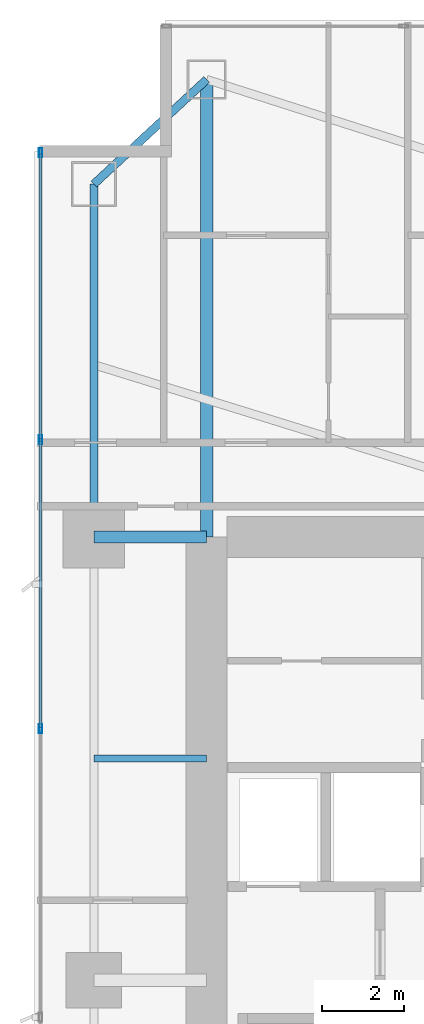
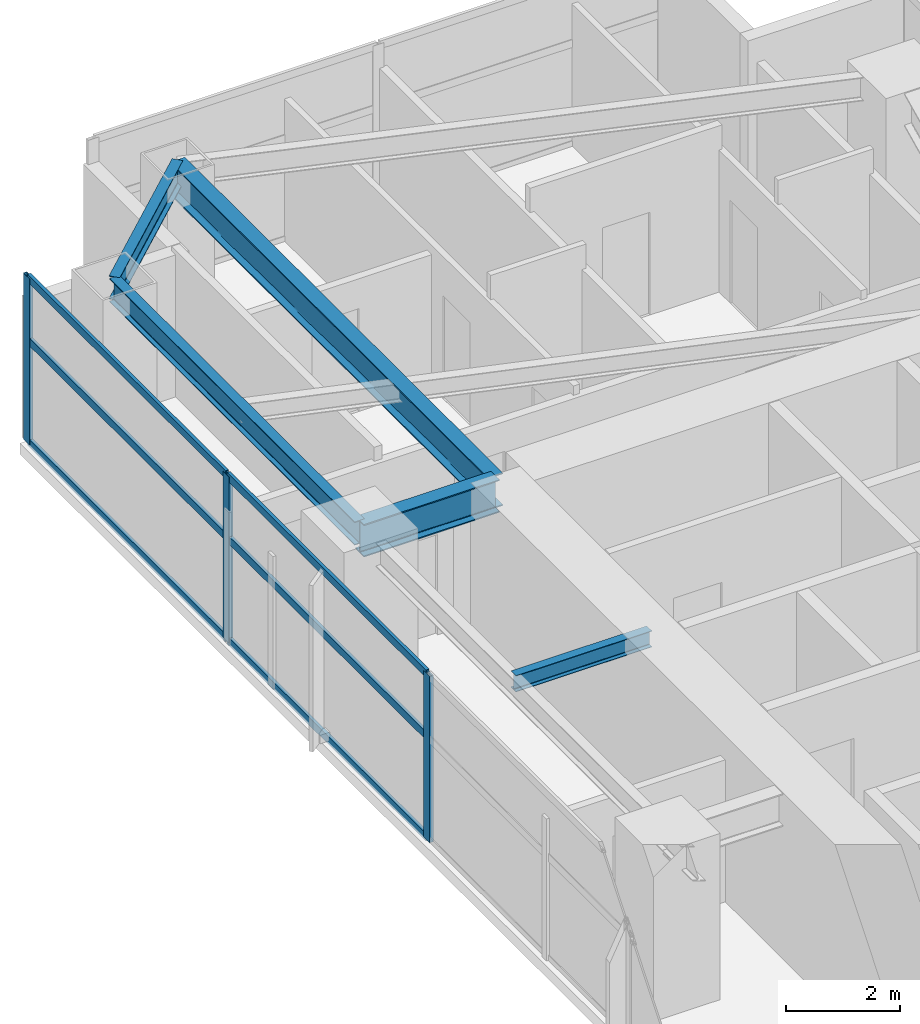
# One storey, part 16 of 29: 9 members, 5 beams, 1 element without a shape of its own.
"""IFC4 building model written with IfcOpenShell, lengths in metres."""

from ifc_helpers import new_model, si_unit, direction, frame, origin, origin_2d, place, context, subcontext, project, spatial, hollow_rectangle, i_section, extrude, material, layer, layer_set, material_profile, profile_set, type_object, element, aggregate, save


model = new_model("IFC4")

# Units and contexts
model_context = context("Model", 3, precision=1e-05, world=origin(), true_north=direction((0.0, 1.0)))
body_context = subcontext(model_context, "Body", "Model", "MODEL_VIEW")
ifc_project = project(units=[si_unit("LENGTHUNIT", "METRE"), si_unit("AREAUNIT", "SQUARE_METRE"), si_unit("VOLUMEUNIT", "CUBIC_METRE"), si_unit("PLANEANGLEUNIT", "RADIAN"), si_unit("MASSUNIT", "GRAM", prefix="KILO")], contexts=[model_context])

# Site, building, storey
site_placement = place(None, origin())
site = spatial("IfcSite", under=ifc_project, at=site_placement, CompositionType="ELEMENT")
building_placement = place(site_placement, origin())
building = spatial("IfcBuilding", under=site, at=building_placement, Name="Calvorn Quay Hotel", CompositionType="ELEMENT")
storey_placement = place(building_placement, frame((0.0, 0.0, 62.199951171875)))
storey = spatial("IfcBuildingStorey", under=building, at=storey_placement, Name="L14", CompositionType="ELEMENT", Elevation=62.199951171875)

# Beams
ifc_material_1 = material(Name="Steel Q390GJC", Category="steel")
ifc_material_profile_1 = material_profile(ifc_material_1, i_section(OverallWidth=0.300048828125, OverallDepth=0.699951171875, WebThickness=0.012939453125, FlangeThickness=0.02392578125, FilletRadius=0.02392578125, at=origin_2d()), Name="HN700x300x13x24")
ifc_profile_set_1 = profile_set([ifc_material_profile_1], Name="Steel Q390GJC")
beam_type_1 = type_object("IfcBeamType", Name="BM-GIRD-MAIN", PredefinedType="BEAM", material=ifc_profile_set_1)
beam_1_placement = place(storey_placement, frame((1.449951171875, 38.39990234375, 3.18994140625), z_axis=(1.0, 0.0, 0.0), x_axis=(0.0, 1.0, 0.0)))
element("IfcBeam", 1, at=beam_1_placement, inside=storey, type_object=beam_type_1, Name="Beam BG-L14-W3", PredefinedType="BEAM", context=body_context, shape_type="SweptSolid", body=[
    extrude(i_section(OverallWidth=0.300048828125, OverallDepth=0.699951171875, WebThickness=0.012939453125, FlangeThickness=0.02392578125, FilletRadius=0.02392578125, at=origin_2d()), origin(), (0.0, 0.0, 1.0), 2.75),
])
beam_2_placement = place(storey_placement, frame((4.199951171875, 49.550048828125, 3.18994140625), z_axis=(0.0, -1.0, 0.0), x_axis=(1.0, 0.0, 0.0)))
element("IfcBeam", 2, at=beam_2_placement, inside=storey, type_object=beam_type_1, Name="Beam BG-L14-W5", PredefinedType="BEAM", context=body_context, shape_type="SweptSolid", body=[
    extrude(i_section(OverallWidth=0.300048828125, OverallDepth=0.699951171875, WebThickness=0.012939453125, FlangeThickness=0.02392578125, FilletRadius=0.02392578125, at=origin_2d()), origin(), (0.0, 0.0, 1.0), 11.150146484375),
])
ifc_material_2 = material(Name="Steel Q355B", Category="steel")
ifc_material_profile_2 = material_profile(ifc_material_2, i_section(OverallWidth=0.175048828125, OverallDepth=0.35009765625, WebThickness=0.007080078125, FlangeThickness=0.010986328125, FilletRadius=0.013916015625, at=origin_2d()), Name="HN350x175x7x11")
ifc_profile_set_2 = profile_set([ifc_material_profile_2], Name="Steel Q355B")
beam_type_2 = type_object("IfcBeamType", Name="BM-JOIST-SEC", PredefinedType="JOIST", material=ifc_profile_set_2)
beam_3_placement = place(storey_placement, frame((1.449951171875, 33.0, 3.364990234375), z_axis=(1.0, 0.0, 0.0), x_axis=(0.0, 1.0, 0.0)))
element("IfcBeam", 3, at=beam_3_placement, inside=storey, type_object=beam_type_2, Name="Beam BJ-L14-W4", PredefinedType="JOIST", context=body_context, shape_type="SweptSolid", body=[
    extrude(i_section(OverallWidth=0.175048828125, OverallDepth=0.35009765625, WebThickness=0.007080078125, FlangeThickness=0.010986328125, FilletRadius=0.013916015625, at=origin_2d()), origin(), (0.0, 0.0, 1.0), 2.75),
])
ifc_material_3 = material(Name="Steel Q355B", Category="steel")
ifc_material_profile_3 = material_profile(ifc_material_3, i_section(OverallWidth=0.199951171875, OverallDepth=0.5, WebThickness=0.010009765625, FlangeThickness=0.01611328125, FilletRadius=0.01611328125, at=origin_2d()), Name="HN500x200x10x16")
ifc_profile_set_3 = profile_set([ifc_material_profile_3], Name="Steel Q355B")
beam_type_3 = type_object("IfcBeamType", Name="BM-SPANDREL-Z1", PredefinedType="SPANDREL", material=ifc_profile_set_3)
beam_4_placement = place(storey_placement, frame((1.449951171875, 38.39990234375, 3.2900390625), z_axis=(0.0, 1.0, 0.0), x_axis=(-1.0, 0.0, 0.0)))
element("IfcBeam", 4, at=beam_4_placement, inside=storey, type_object=beam_type_3, Name="Beam BSP-L14-W4", PredefinedType="SPANDREL", context=body_context, shape_type="SweptSolid", body=[
    extrude(i_section(OverallWidth=0.199951171875, OverallDepth=0.5, WebThickness=0.010009765625, FlangeThickness=0.01611328125, FilletRadius=0.01611328125, at=origin_2d()), origin(), (0.0, 0.0, 1.0), 8.60009765625),
])
beam_5_placement = place(storey_placement, frame((1.449951171875, 47.0, 3.2900390625), z_axis=(0.733261665538, 0.679946563969, 0.0), x_axis=(-0.679946563969, 0.733261665538, 0.0)))
element("IfcBeam", 5, at=beam_5_placement, inside=storey, type_object=beam_type_3, Name="Beam BSP-L14-W5", PredefinedType="SPANDREL", context=body_context, shape_type="SweptSolid", body=[
    extrude(i_section(OverallWidth=0.199951171875, OverallDepth=0.5, WebThickness=0.010009765625, FlangeThickness=0.01611328125, FilletRadius=0.01611328125, at=origin_2d()), origin(), (0.0, 0.0, 1.0), 3.75048828125),
])

# Curtain wall, members
ifc_material_4 = material(Name="Pale Anodised Aluminium and Low-E Glass", Category="aluminium")
ifc_layer = layer(ifc_material_4, 0.219970703125)
ifc_layer_set = layer_set([ifc_layer], Name="CW-SYS-Z1")
curtain_wall_type = type_object("IfcCurtainWallType", Name="CW-SYS-Z1", PredefinedType="NOTDEFINED", material=ifc_layer_set)
curtain_wall_placement = place(storey_placement, origin())
curtain_wall = element("IfcCurtainWall", 6, at=curtain_wall_placement, inside=storey, type_object=curtain_wall_type, Name="Tower West Curtain Wall (L14)", PredefinedType="NOTDEFINED")
ifc_material_5 = material(Name="Pale Anodised Aluminium 6063-T6", Category="aluminium")
ifc_material_profile_4 = material_profile(ifc_material_5, hollow_rectangle(XDim=0.074951171875, YDim=0.219970703125, WallThickness=0.00439453125, at=origin_2d()), Name="ALU-M220x75x4.5")
ifc_profile_set_4 = profile_set([ifc_material_profile_4], Name="Pale Anodised Aluminium 6063-T6")
member_type_1 = type_object("IfcMemberType", Name="CW-SYS-Z1-MUL", PredefinedType="MULLION", material=ifc_profile_set_4)
member_1_placement = place(storey_placement, frame((0.14990234375, 33.7333984375, 0.0), z_axis=(0.0, 0.0, 1.0), x_axis=(-1.0, 0.0, 0.0)))
member_1 = element("IfcMember", 7, at=member_1_placement, type_object=member_type_1, Name="CW-L14-W mullion 5", PredefinedType="MULLION", context=body_context, shape_type="SweptSolid", body=[
    extrude(hollow_rectangle(XDim=0.074951171875, YDim=0.219970703125, WallThickness=0.00439453125, at=origin_2d()), origin(), (0.0, 0.0, 1.0), 3.56005859375),
])
member_2_placement = place(storey_placement, frame((0.14990234375, 40.7666015625, 0.0), z_axis=(0.0, 0.0, 1.0), x_axis=(-1.0, 0.0, 0.0)))
member_2 = element("IfcMember", 8, at=member_2_placement, type_object=member_type_1, Name="CW-L14-W mullion 6", PredefinedType="MULLION", context=body_context, shape_type="SweptSolid", body=[
    extrude(hollow_rectangle(XDim=0.074951171875, YDim=0.219970703125, WallThickness=0.00439453125, at=origin_2d()), origin(), (0.0, 0.0, 1.0), 3.56005859375),
])
member_3_placement = place(storey_placement, frame((0.14990234375, 47.77001953125, 0.0), z_axis=(0.0, 0.0, 1.0), x_axis=(-1.0, 0.0, 0.0)))
member_3 = element("IfcMember", 9, at=member_3_placement, type_object=member_type_1, Name="CW-L14-W mullion 7", PredefinedType="MULLION", context=body_context, shape_type="SweptSolid", body=[
    extrude(hollow_rectangle(XDim=0.074951171875, YDim=0.219970703125, WallThickness=0.00439453125, at=origin_2d()), origin(), (0.0, 0.0, 1.0), 3.56005859375),
])
ifc_material_6 = material(Name="Pale Anodised Aluminium 6063-T6", Category="aluminium")
ifc_material_profile_5 = material_profile(ifc_material_6, hollow_rectangle(XDim=0.06494140625, YDim=0.1650390625, WallThickness=0.00341796875, at=origin_2d()), Name="ALU-T165x65x3.5")
ifc_profile_set_5 = profile_set([ifc_material_profile_5], Name="Pale Anodised Aluminium 6063-T6")
member_type_2 = type_object("IfcMemberType", Name="CW-SYS-Z1-TRN", PredefinedType="USERDEFINED", material=ifc_profile_set_5)
member_4_placement = place(storey_placement, frame((0.14990234375, 33.763427734375, 0.030029296875), z_axis=(0.0, 1.0, 0.0), x_axis=(-1.0, 0.0, 0.0)))
member_4 = element("IfcMember", 10, at=member_4_placement, type_object=member_type_2, Name="CW-L14-W transom 5.1", ObjectType="TRANSOM", PredefinedType="USERDEFINED", context=body_context, shape_type="SweptSolid", body=[
    extrude(hollow_rectangle(XDim=0.06494140625, YDim=0.1650390625, WallThickness=0.00341796875, at=origin_2d()), origin(), (0.0, 0.0, 1.0), 6.97314453125),
])
member_5_placement = place(storey_placement, frame((0.14990234375, 33.763427734375, 2.199951171875), z_axis=(0.0, 1.0, 0.0), x_axis=(-1.0, 0.0, 0.0)))
member_5 = element("IfcMember", 11, at=member_5_placement, type_object=member_type_2, Name="CW-L14-W transom 5.2", ObjectType="TRANSOM", PredefinedType="USERDEFINED", context=body_context, shape_type="SweptSolid", body=[
    extrude(hollow_rectangle(XDim=0.06494140625, YDim=0.1650390625, WallThickness=0.00341796875, at=origin_2d()), origin(), (0.0, 0.0, 1.0), 6.97314453125),
])
member_6_placement = place(storey_placement, frame((0.14990234375, 33.763427734375, 3.530029296875), z_axis=(0.0, 1.0, 0.0), x_axis=(-1.0, 0.0, 0.0)))
member_6 = element("IfcMember", 12, at=member_6_placement, type_object=member_type_2, Name="CW-L14-W transom 5.3", ObjectType="TRANSOM", PredefinedType="USERDEFINED", context=body_context, shape_type="SweptSolid", body=[
    extrude(hollow_rectangle(XDim=0.06494140625, YDim=0.1650390625, WallThickness=0.00341796875, at=origin_2d()), origin(), (0.0, 0.0, 1.0), 6.97314453125),
])
member_7_placement = place(storey_placement, frame((0.14990234375, 40.796630859375, 0.030029296875), z_axis=(0.0, 1.0, 0.0), x_axis=(-1.0, 0.0, 0.0)))
member_7 = element("IfcMember", 13, at=member_7_placement, type_object=member_type_2, Name="CW-L14-W transom 6.1", ObjectType="TRANSOM", PredefinedType="USERDEFINED", context=body_context, shape_type="SweptSolid", body=[
    extrude(hollow_rectangle(XDim=0.06494140625, YDim=0.1650390625, WallThickness=0.00341796875, at=origin_2d()), origin(), (0.0, 0.0, 1.0), 6.943359375),
])
member_8_placement = place(storey_placement, frame((0.14990234375, 40.796630859375, 2.199951171875), z_axis=(0.0, 1.0, 0.0), x_axis=(-1.0, 0.0, 0.0)))
member_8 = element("IfcMember", 14, at=member_8_placement, type_object=member_type_2, Name="CW-L14-W transom 6.2", ObjectType="TRANSOM", PredefinedType="USERDEFINED", context=body_context, shape_type="SweptSolid", body=[
    extrude(hollow_rectangle(XDim=0.06494140625, YDim=0.1650390625, WallThickness=0.00341796875, at=origin_2d()), origin(), (0.0, 0.0, 1.0), 6.943359375),
])
member_9_placement = place(storey_placement, frame((0.14990234375, 40.796630859375, 3.530029296875), z_axis=(0.0, 1.0, 0.0), x_axis=(-1.0, 0.0, 0.0)))
member_9 = element("IfcMember", 15, at=member_9_placement, type_object=member_type_2, Name="CW-L14-W transom 6.3", ObjectType="TRANSOM", PredefinedType="USERDEFINED", context=body_context, shape_type="SweptSolid", body=[
    extrude(hollow_rectangle(XDim=0.06494140625, YDim=0.1650390625, WallThickness=0.00341796875, at=origin_2d()), origin(), (0.0, 0.0, 1.0), 6.943359375),
])
aggregate(curtain_wall, [member_1, member_2, member_3, member_4, member_5, member_6, member_7, member_8, member_9])

save(model, "model.ifc")
